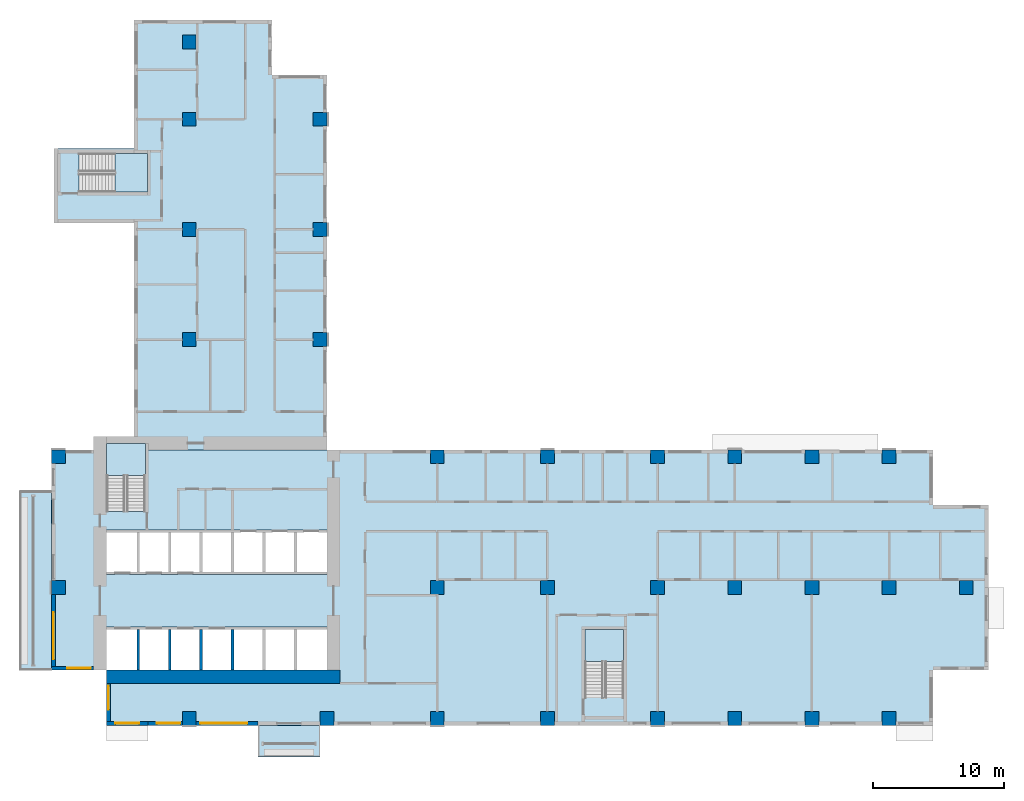
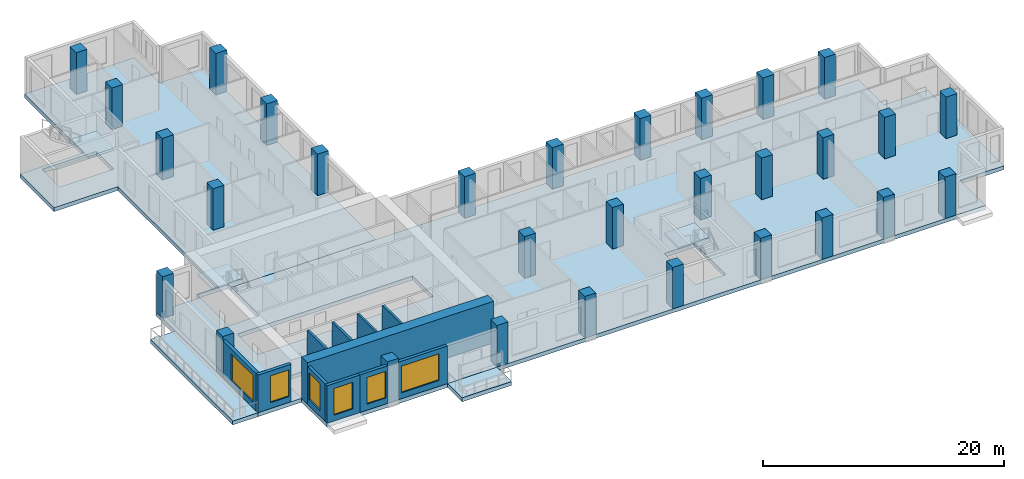
# One storey, part 1 of 13: 30 columns, 11 walls, 7 slabs, 6 windows, 6 openings, 3 elements without a shape of their own.
"""IFC4 building model written with IfcOpenShell, lengths in metres."""

from ifc_helpers import new_model, si_unit, direction, frame, frame_2d, origin, origin_2d, place, context, subcontext, project, spatial, polyline, rectangle, outline, extrude, source, transform, mapped, material, layer, layer_set, material_profile, profile_set, type_object, element, fill, aggregate, save


model = new_model("IFC4")

# Units and contexts
model_context = context("Model", 3, precision=1e-05, world=origin(), true_north=direction((0.0, 1.0)))
body_context = subcontext(model_context, "Body", "Model", "MODEL_VIEW")
ifc_project = project(units=[si_unit("LENGTHUNIT", "METRE"), si_unit("AREAUNIT", "SQUARE_METRE"), si_unit("VOLUMEUNIT", "CUBIC_METRE"), si_unit("PLANEANGLEUNIT", "RADIAN"), si_unit("MASSUNIT", "GRAM", prefix="KILO")], contexts=[model_context])

# Site, building, storey
site_placement = place(None, origin())
site = spatial("IfcSite", under=ifc_project, at=site_placement, CompositionType="ELEMENT")
building_placement = place(site_placement, origin())
building = spatial("IfcBuilding", under=site, at=building_placement, Name="Aurelian Terraces", CompositionType="ELEMENT")
storey_placement = place(building_placement, frame((0.0, 0.0, 158.1)))
storey = spatial("IfcBuildingStorey", under=building, at=storey_placement, Name="L35", CompositionType="ELEMENT", Elevation=158.1)

# Columns
ifc_material_1 = material(Name="Concrete fc' 83 MPa", Category="concrete")
ifc_material_profile = material_profile(ifc_material_1, rectangle(XDim=1.05, YDim=1.05, at=origin_2d()))
ifc_profile_set = profile_set([ifc_material_profile], Name="Concrete fc' 83 MPa")
column_type = type_object("IfcColumnType", Name="RC COLUMN 1050X1050 FC83", PredefinedType="COLUMN", material=ifc_profile_set)
shared_shape_1 = source(origin(), body_context, "Body", "SweptSolid", [
    extrude(rectangle(XDim=1.05, YDim=1.05, at=origin_2d()), origin(), (0.0, 0.0, 1.0), 4.2),
])
for number, where, z_axis, x_axis, name in (
    (1, (10.5, 0.525, 0.0), (0.0, 0.0, 1.0), (1.0, 0.0, 0.0), "Column 2/A L35"),
    (2, (21.0, 0.525, 0.0), (0.0, 0.0, 1.0), (1.0, 0.0, 0.0), "Column 3/A L35"),
    (3, (29.4, 0.525, 0.0), (0.0, 0.0, 1.0), (1.0, 0.0, 0.0), "Column 4/A L35"),
    (4, (37.8, 0.525, 0.0), (0.0, 0.0, 1.0), (1.0, 0.0, 0.0), "Column 5/A L35"),
    (5, (46.2, 0.525, 0.0), (0.0, 0.0, 1.0), (1.0, 0.0, 0.0), "Column 6/A L35"),
    (6, (52.08, 0.525, 0.0), (0.0, 0.0, 1.0), (1.0, 0.0, 0.0), "Column 7/A L35"),
    (7, (57.96, 0.525, 0.0), (0.0, 0.0, 1.0), (1.0, 0.0, 0.0), "Column 8/A L35"),
    (8, (63.84, 0.525, 0.0), (0.0, 0.0, 1.0), (1.0, 0.0, 0.0), "Column 9/A L35"),
    (9, (0.525, 10.5, 0.0), (0.0, 0.0, 1.0), (1.0, 0.0, 0.0), "Column 1/B L35"),
    (10, (29.4, 10.5, 0.0), (0.0, 0.0, 1.0), (1.0, 0.0, 0.0), "Column 4/B L35"),
    (11, (37.8, 10.5, 0.0), (0.0, 0.0, 1.0), (1.0, 0.0, 0.0), "Column 5/B L35"),
    (12, (46.2, 10.5, 0.0), (0.0, 0.0, 1.0), (1.0, 0.0, 0.0), "Column 6/B L35"),
    (13, (52.08, 10.5, 0.0), (0.0, 0.0, 1.0), (1.0, 0.0, 0.0), "Column 7/B L35"),
    (14, (57.96, 10.5, 0.0), (0.0, 0.0, 1.0), (1.0, 0.0, 0.0), "Column 8/B L35"),
    (15, (63.84, 10.5, 0.0), (0.0, 0.0, 1.0), (1.0, 0.0, 0.0), "Column 9/B L35"),
    (16, (69.72, 10.5, 0.0), (0.0, 0.0, 1.0), (1.0, 0.0, 0.0), "Column 10/B L35"),
    (17, (0.525, 20.475, 0.0), (0.0, 0.0, 1.0), (1.0, 0.0, 0.0), "Column 1/C L35"),
    (18, (29.4, 20.475, 0.0), (0.0, 0.0, 1.0), (1.0, 0.0, 0.0), "Column 4/C L35"),
    (19, (37.8, 20.475, 0.0), (0.0, 0.0, 1.0), (1.0, 0.0, 0.0), "Column 5/C L35"),
    (20, (46.2, 20.475, 0.0), (0.0, 0.0, 1.0), (1.0, 0.0, 0.0), "Column 6/C L35"),
    (21, (52.08, 20.475, 0.0), (0.0, 0.0, 1.0), (1.0, 0.0, 0.0), "Column 7/C L35"),
    (22, (57.96, 20.475, 0.0), (0.0, 0.0, 1.0), (1.0, 0.0, 0.0), "Column 8/C L35"),
    (23, (63.84, 20.475, 0.0), (0.0, 0.0, 1.0), (1.0, 0.0, 0.0), "Column 9/C L35"),
    (24, (10.5, 29.4, 0.0), (0.0, 0.0, 1.0), (1.0, 0.0, 0.0), "Column 2/D L35"),
    (25, (20.475, 29.4, 0.0), (0.0, 0.0, 1.0), (1.0, 0.0, 0.0), "Column 3/D L35"),
    (26, (10.5, 37.8, 0.0), (0.0, 0.0, 1.0), (1.0, 0.0, 0.0), "Column 2/E L35"),
    (27, (20.475, 37.8, 0.0), (0.0, 0.0, 1.0), (1.0, 0.0, 0.0), "Column 3/E L35"),
    (28, (10.5, 46.2, 0.0), (0.0, 0.0, 1.0), (1.0, 0.0, 0.0), "Column 2/F L35"),
    (29, (20.475, 46.2, 0.0), (0.0, 0.0, 1.0), (1.0, 0.0, 0.0), "Column 3/F L35"),
    (30, (10.5, 52.08, 0.0), (0.0, 0.0, 1.0), (1.0, 0.0, 0.0), "Column 2/G L35"),
):
    element("IfcColumn", number, at=place(storey_placement, frame(where, z_axis=z_axis, x_axis=x_axis)), inside=storey, type_object=column_type, Name=name, PredefinedType="COLUMN", context=body_context, shape_type="MappedRepresentation", body=[
        mapped(shared_shape_1, transform((0.0, 0.0, 0.0), scale=1.0)),
    ])

# Slabs
ifc_material_2 = material(Name="Concrete fc' 40 MPa", Category="concrete")
ifc_layer_1 = layer(ifc_material_2, 0.4)
ifc_layer_set_1 = layer_set([ifc_layer_1], Name="PT FLAT PLATE 400")
slab_type_1 = type_object("IfcSlabType", Name="PT FLAT PLATE 400", PredefinedType="FLOOR", material=ifc_layer_set_1)
shared_shape_2 = source(origin(), body_context, "Body", "SweptSolid", [
    extrude(outline(polyline([(67.2, 16.8), (71.4, 16.8), (71.4, 4.2), (67.2, 4.2), (67.2, 0.0), (21.0, 0.0), (4.2, 0.0), (4.2, 4.2), (0.0, 4.2), (0.0, 21.0), (4.21, 21.0), (4.21, 16.31), (7.14, 16.31), (7.14, 21.0), (21.0, 21.0), (67.2, 21.0), (67.2, 16.8)]), holes=[polyline([(40.66, 2.11), (43.59, 2.11), (43.59, 7.29), (40.66, 7.29), (40.66, 2.11)]), polyline([(4.21, 7.49), (4.21, 4.21), (20.99, 4.21), (20.99, 7.49), (4.21, 7.49)]), polyline([(4.21, 14.89), (4.21, 11.51), (20.99, 11.51), (20.99, 14.89), (4.21, 14.89)])]), origin(), (0.0, 0.0, 1.0), 0.4),
])
slab_1_placement = place(storey_placement, frame((0.0, 0.0, -0.4)))
element("IfcSlab", 31, at=slab_1_placement, inside=storey, type_object=slab_type_1, Name="Floor slab S L35", PredefinedType="FLOOR", context=body_context, shape_type="MappedRepresentation", body=[
    mapped(shared_shape_2, transform((0.0, 0.0, 0.0), scale=1.0)),
])
shared_shape_3 = source(origin(), body_context, "Body", "SweptSolid", [
    extrude(outline(polyline([(0.2, 43.95), (6.3, 43.95), (6.3, 49.56), (6.3, 53.76), (10.5, 53.76), (16.8, 53.76), (16.8, 49.56), (21.0, 49.56), (21.0, 21.0), (7.14, 21.0), (7.14, 21.49), (4.21, 21.49), (4.21, 21.0), (4.2, 21.0), (4.2, 21.6), (6.3, 21.6), (6.3, 38.3), (0.2, 38.3), (0.2, 43.95)]), holes=[polyline([(7.29, 43.59), (2.11, 43.59), (2.11, 40.66), (7.29, 40.66), (7.29, 43.59)])]), origin(), (0.0, 0.0, 1.0), 0.4),
])
slab_2_placement = place(storey_placement, frame((0.0, 0.0, -0.4)))
element("IfcSlab", 32, at=slab_2_placement, inside=storey, type_object=slab_type_1, Name="Floor slab W L35", PredefinedType="FLOOR", context=body_context, shape_type="MappedRepresentation", body=[
    mapped(shared_shape_3, transform((0.0, 0.0, 0.0), scale=1.0)),
])
ifc_layer_2 = layer(ifc_material_2, 0.4)
ifc_layer_set_2 = layer_set([ifc_layer_2], Name="Balcony slab 400")
slab_type_2 = type_object("IfcSlabType", Name="Balcony slab 400", PredefinedType="NOTDEFINED", material=ifc_layer_set_2)
shared_shape_4 = source(origin(), body_context, "Body", "SweptSolid", [
    extrude(outline(polyline([(0.0, 17.85), (0.0, 4.2), (-2.4, 4.2), (-2.4, 17.85), (0.0, 17.85)])), origin(), (0.0, 0.0, 1.0), 0.4),
])
slab_3_placement = place(storey_placement, frame((0.0, 0.0, -0.4)))
element("IfcSlab", 33, at=slab_3_placement, inside=storey, type_object=slab_type_2, Name="Balcony slab L35 F20.38", PredefinedType="NOTDEFINED", context=body_context, shape_type="MappedRepresentation", body=[
    mapped(shared_shape_4, transform((0.0, 0.0, 0.0), scale=1.0)),
])
shared_shape_5 = source(origin(), body_context, "Body", "SweptSolid", [
    extrude(outline(polyline([(15.75, 0.0), (20.475, 0.0), (20.475, -2.4), (15.75, -2.4), (15.75, 0.0)])), origin(), (0.0, 0.0, 1.0), 0.4),
])
slab_4_placement = place(storey_placement, frame((0.0, 0.0, -0.4)))
element("IfcSlab", 34, at=slab_4_placement, inside=storey, type_object=slab_type_2, Name="Balcony slab L35 F01.4", PredefinedType="NOTDEFINED", context=body_context, shape_type="MappedRepresentation", body=[
    mapped(shared_shape_5, transform((0.0, 0.0, 0.0), scale=1.0)),
])

# Stair, slab
stair_type = type_object("IfcStairType", Name="Stair 1400", PredefinedType="HALF_TURN_STAIR", material=ifc_material_2)
stair_1_placement = place(storey_placement, origin())
stair_1 = element("IfcStair", 35, at=stair_1_placement, inside=storey, type_object=stair_type, Name="L35 S1", PredefinedType="HALF_TURN_STAIR")
ifc_layer_3 = layer(ifc_material_2, 0.2)
ifc_layer_set_3 = layer_set([ifc_layer_3], Name="Stair landing 200")
slab_type_3 = type_object("IfcSlabType", Name="Stair landing 200", PredefinedType="LANDING", material=ifc_layer_set_3)
shared_shape_6 = source(origin(), body_context, "Body", "SweptSolid", [
    extrude(outline(polyline([(7.15, 19.05), (7.15, 21.5), (4.2, 21.5), (4.2, 19.05), (7.15, 19.05)])), origin(), (0.0, 0.0, 1.0), 0.2),
])
slab_5_placement = place(storey_placement, frame((0.0, 0.0, 1.9)))
slab_5 = element("IfcSlab", 36, at=slab_5_placement, type_object=slab_type_3, Name="S1 landing 1", PredefinedType="LANDING", context=body_context, shape_type="MappedRepresentation", body=[
    mapped(shared_shape_6, transform((0.0, 0.0, 0.0), scale=1.0)),
])
aggregate(stair_1, [slab_5])

stair_2_placement = place(storey_placement, origin())
stair_2 = element("IfcStair", 37, at=stair_2_placement, inside=storey, type_object=stair_type, Name="L35 S2", PredefinedType="HALF_TURN_STAIR")
shared_shape_7 = source(origin(), body_context, "Body", "SweptSolid", [
    extrude(outline(polyline([(43.6, 4.85), (43.6, 7.3), (40.65, 7.3), (40.65, 4.85), (43.6, 4.85)])), origin(), (0.0, 0.0, 1.0), 0.2),
])
slab_6_placement = place(storey_placement, frame((0.0, 0.0, 1.9)))
slab_6 = element("IfcSlab", 38, at=slab_6_placement, type_object=slab_type_3, Name="S2 landing 1", PredefinedType="LANDING", context=body_context, shape_type="MappedRepresentation", body=[
    mapped(shared_shape_7, transform((0.0, 0.0, 0.0), scale=1.0)),
])
aggregate(stair_2, [slab_6])

stair_3_placement = place(storey_placement, origin())
stair_3 = element("IfcStair", 39, at=stair_3_placement, inside=storey, type_object=stair_type, Name="L35 S3", PredefinedType="HALF_TURN_STAIR")
shared_shape_8 = source(origin(), body_context, "Body", "SweptSolid", [
    extrude(outline(polyline([(4.85, 40.65), (7.3, 40.65), (7.3, 43.6), (4.85, 43.6), (4.85, 40.65)])), origin(), (0.0, 0.0, 1.0), 0.2),
])
slab_7_placement = place(storey_placement, frame((0.0, 0.0, 1.9)))
slab_7 = element("IfcSlab", 40, at=slab_7_placement, type_object=slab_type_3, Name="S3 landing 1", PredefinedType="LANDING", context=body_context, shape_type="MappedRepresentation", body=[
    mapped(shared_shape_8, transform((0.0, 0.0, 0.0), scale=1.0)),
])
aggregate(stair_3, [slab_7])

# Wall
ifc_layer_4 = layer(ifc_material_1, 1.0)
ifc_layer_set_4 = layer_set([ifc_layer_4], Name="CORE WALL 1000 FC83")
wall_type_1 = type_object("IfcWallType", Name="CORE WALL 1000 FC83", PredefinedType="SHEAR", material=ifc_layer_set_4)
shared_shape_9 = source(origin(), body_context, "Body", "SweptSolid", [
    extrude(rectangle(XDim=17.8, YDim=1.0, at=frame_2d((8.9, 0.0))), origin(), (0.0, 0.0, 1.0), 4.2),
])
wall_1_placement = place(storey_placement, frame((4.2, 3.7, 0.0), z_axis=(0.0, 0.0, 1.0), x_axis=(1.0, 0.0, 0.0)))
element("IfcWall", 41, at=wall_1_placement, inside=storey, type_object=wall_type_1, Name="Core wall S L35", PredefinedType="SHEAR", context=body_context, shape_type="MappedRepresentation", body=[
    mapped(shared_shape_9, transform((0.0, 0.0, 0.0), scale=1.0)),
])

# Wall, opening, window
ifc_material_3 = material(Name="Terracotta rainscreen cladding", Category="masonry")
ifc_layer_5 = layer(ifc_material_3, 0.3)
ifc_layer_set_5 = layer_set([ifc_layer_5], Name="EW-300")
wall_type_2 = type_object("IfcWallType", Name="EW-300", PredefinedType="STANDARD", material=ifc_layer_set_5)
shared_shape_10 = source(origin(), body_context, "Body", "SweptSolid", [
    extrude(rectangle(XDim=3.15, YDim=0.3, at=frame_2d((1.575, 0.0))), origin(), (0.0, 0.0, 1.0), 3.8),
])
wall_2_placement = place(storey_placement, frame((4.2, 0.15, 0.0), z_axis=(0.0, 0.0, 1.0), x_axis=(1.0, 0.0, 0.0)))
wall_2 = element("IfcWall", 42, at=wall_2_placement, inside=storey, type_object=wall_type_2, Name="External wall L35 F01.1", PredefinedType="STANDARD", context=body_context, shape_type="MappedRepresentation", body=[
    mapped(shared_shape_10, transform((0.0, 0.0, 0.0), scale=1.0)),
])
shared_shape_11 = source(origin(), body_context, "Body", "SweptSolid", [
    extrude(rectangle(XDim=1.8, YDim=2.7, at=frame_2d((0.9, 1.35))), frame((0.0, 0.16, 0.0), z_axis=(0.0, -1.0, 0.0), x_axis=(1.0, 0.0, 0.0)), (0.0, 0.0, 1.0), 0.32),
])
opening_1_placement = place(wall_2_placement, frame((0.675, 0.0, 0.6)))
opening_1 = element("IfcOpeningElement", 43, at=opening_1_placement, cuts=wall_2, Name="Opening W1827", PredefinedType="OPENING", context=body_context, shape_type="MappedRepresentation", body=[
    mapped(shared_shape_11, transform((0.0, 0.0, 0.0), scale=1.0)),
])
ifc_material_4 = material(Name="Clear glazing", Category="glass")
window_type_1 = type_object("IfcWindowType", Name="W-1800x2700", PartitioningType="SINGLE_PANEL", PredefinedType="WINDOW", material=ifc_material_4)
shared_shape_12 = source(origin(), body_context, "Body", "SweptSolid", [
    extrude(rectangle(XDim=1.8, YDim=2.7, at=frame_2d((0.9, 1.35))), frame((0.0, 0.03, 0.0), z_axis=(0.0, -1.0, 0.0), x_axis=(1.0, 0.0, 0.0)), (0.0, 0.0, 1.0), 0.06),
])
window_1_placement = place(opening_1_placement, origin())
window_1 = element("IfcWindow", 44, at=window_1_placement, inside=storey, type_object=window_type_1, Name="Window L35 L35-F01-01-0", OverallHeight=2.7, OverallWidth=1.8, PartitioningType="SINGLE_PANEL", PredefinedType="WINDOW", context=body_context, shape_type="MappedRepresentation", body=[
    mapped(shared_shape_12, transform((0.0, 0.0, 0.0), scale=1.0)),
])
fill(opening_1, window_1)

shared_shape_13 = source(origin(), body_context, "Body", "SweptSolid", [
    extrude(rectangle(XDim=3.2, YDim=0.3, at=frame_2d((1.6, 0.0))), origin(), (0.0, 0.0, 1.0), 3.8),
])
wall_3_placement = place(storey_placement, frame((0.0, 4.35, 0.0), z_axis=(0.0, 0.0, 1.0), x_axis=(1.0, 0.0, 0.0)))
wall_3 = element("IfcWall", 45, at=wall_3_placement, inside=storey, type_object=wall_type_2, Name="External wall L35 F21.39", PredefinedType="STANDARD", context=body_context, shape_type="MappedRepresentation", body=[
    mapped(shared_shape_13, transform((0.0, 0.0, 0.0), scale=1.0)),
])
opening_2_placement = place(wall_3_placement, frame((1.2, 0.0, 0.6)))
opening_2 = element("IfcOpeningElement", 46, at=opening_2_placement, cuts=wall_3, Name="Opening W1827", PredefinedType="OPENING", context=body_context, shape_type="MappedRepresentation", body=[
    mapped(shared_shape_11, transform((0.0, 0.0, 0.0), scale=1.0)),
])
window_2_placement = place(opening_2_placement, origin())
window_2 = element("IfcWindow", 47, at=window_2_placement, inside=storey, type_object=window_type_1, Name="Window L35 L35-F21-39-0", OverallHeight=2.7, OverallWidth=1.8, PartitioningType="SINGLE_PANEL", PredefinedType="WINDOW", context=body_context, shape_type="MappedRepresentation", body=[
    mapped(shared_shape_12, transform((0.0, 0.0, 0.0), scale=1.0)),
])
fill(opening_2, window_2)

wall_4_placement = place(storey_placement, frame((4.35, 3.2, 0.0), z_axis=(0.0, 0.0, 1.0), x_axis=(0.0, -1.0, 0.0)))
wall_4 = element("IfcWall", 48, at=wall_4_placement, inside=storey, type_object=wall_type_2, Name="External wall L35 F22.40", PredefinedType="STANDARD", context=body_context, shape_type="MappedRepresentation", body=[
    mapped(shared_shape_13, transform((0.0, 0.0, 0.0), scale=1.0)),
])
opening_3_placement = place(wall_4_placement, frame((0.2, 0.0, 0.6)))
opening_3 = element("IfcOpeningElement", 49, at=opening_3_placement, cuts=wall_4, Name="Opening W1827", PredefinedType="OPENING", context=body_context, shape_type="MappedRepresentation", body=[
    mapped(shared_shape_11, transform((0.0, 0.0, 0.0), scale=1.0)),
])
window_3_placement = place(opening_3_placement, origin())
window_3 = element("IfcWindow", 50, at=window_3_placement, inside=storey, type_object=window_type_1, Name="Window L35 L35-F22-40-0", OverallHeight=2.7, OverallWidth=1.8, PartitioningType="SINGLE_PANEL", PredefinedType="WINDOW", context=body_context, shape_type="MappedRepresentation", body=[
    mapped(shared_shape_12, transform((0.0, 0.0, 0.0), scale=1.0)),
])
fill(opening_3, window_3)

shared_shape_14 = source(origin(), body_context, "Body", "SweptSolid", [
    extrude(rectangle(XDim=2.625, YDim=0.3, at=frame_2d((1.3125, 0.0))), origin(), (0.0, 0.0, 1.0), 3.8),
])
wall_5_placement = place(storey_placement, frame((7.35, 0.15, 0.0), z_axis=(0.0, 0.0, 1.0), x_axis=(1.0, 0.0, 0.0)))
wall_5 = element("IfcWall", 51, at=wall_5_placement, inside=storey, type_object=wall_type_2, Name="External wall L35 F01.2", PredefinedType="STANDARD", context=body_context, shape_type="MappedRepresentation", body=[
    mapped(shared_shape_14, transform((0.0, 0.0, 0.0), scale=1.0)),
])
opening_4_placement = place(wall_5_placement, frame((0.675, 0.0, 0.6)))
opening_4 = element("IfcOpeningElement", 52, at=opening_4_placement, cuts=wall_5, Name="Opening W1827", PredefinedType="OPENING", context=body_context, shape_type="MappedRepresentation", body=[
    mapped(shared_shape_11, transform((0.0, 0.0, 0.0), scale=1.0)),
])
window_4_placement = place(opening_4_placement, origin())
window_4 = element("IfcWindow", 53, at=window_4_placement, inside=storey, type_object=window_type_1, Name="Window L35 L35-F01-02-0", OverallHeight=2.7, OverallWidth=1.8, PartitioningType="SINGLE_PANEL", PredefinedType="WINDOW", context=body_context, shape_type="MappedRepresentation", body=[
    mapped(shared_shape_12, transform((0.0, 0.0, 0.0), scale=1.0)),
])
fill(opening_4, window_4)

shared_shape_15 = source(origin(), body_context, "Body", "SweptSolid", [
    extrude(rectangle(XDim=5.775, YDim=0.3, at=frame_2d((2.8875, 0.0))), origin(), (0.0, 0.0, 1.0), 3.8),
])
wall_6_placement = place(storey_placement, frame((0.15, 9.975, 0.0), z_axis=(0.0, 0.0, 1.0), x_axis=(0.0, -1.0, 0.0)))
wall_6 = element("IfcWall", 54, at=wall_6_placement, inside=storey, type_object=wall_type_2, Name="External wall L35 F20.38", PredefinedType="STANDARD", context=body_context, shape_type="MappedRepresentation", body=[
    mapped(shared_shape_15, transform((0.0, 0.0, 0.0), scale=1.0)),
])
shared_shape_16 = source(origin(), body_context, "Body", "SweptSolid", [
    extrude(rectangle(XDim=3.6, YDim=2.7, at=frame_2d((1.8, 1.35))), frame((0.0, 0.16, 0.0), z_axis=(0.0, -1.0, 0.0), x_axis=(1.0, 0.0, 0.0)), (0.0, 0.0, 1.0), 0.32),
])
opening_5_placement = place(wall_6_placement, frame((1.35, 0.0, 0.6)))
opening_5 = element("IfcOpeningElement", 55, at=opening_5_placement, cuts=wall_6, Name="Opening W3627", PredefinedType="OPENING", context=body_context, shape_type="MappedRepresentation", body=[
    mapped(shared_shape_16, transform((0.0, 0.0, 0.0), scale=1.0)),
])
window_type_2 = type_object("IfcWindowType", Name="W-3600x2700", PartitioningType="SINGLE_PANEL", PredefinedType="WINDOW", material=ifc_material_4)
shared_shape_17 = source(origin(), body_context, "Body", "SweptSolid", [
    extrude(rectangle(XDim=3.6, YDim=2.7, at=frame_2d((1.8, 1.35))), frame((0.0, 0.03, 0.0), z_axis=(0.0, -1.0, 0.0), x_axis=(1.0, 0.0, 0.0)), (0.0, 0.0, 1.0), 0.06),
])
window_5_placement = place(opening_5_placement, origin())
window_5 = element("IfcWindow", 56, at=window_5_placement, inside=storey, type_object=window_type_2, Name="Window L35 L35-F20-38-2", OverallHeight=2.7, OverallWidth=3.6, PartitioningType="SINGLE_PANEL", PredefinedType="WINDOW", context=body_context, shape_type="MappedRepresentation", body=[
    mapped(shared_shape_17, transform((0.0, 0.0, 0.0), scale=1.0)),
])
fill(opening_5, window_5)

shared_shape_18 = source(origin(), body_context, "Body", "SweptSolid", [
    extrude(rectangle(XDim=4.725, YDim=0.3, at=frame_2d((2.3625, 0.0))), origin(), (0.0, 0.0, 1.0), 3.8),
])
wall_7_placement = place(storey_placement, frame((11.025, 0.15, 0.0), z_axis=(0.0, 0.0, 1.0), x_axis=(1.0, 0.0, 0.0)))
wall_7 = element("IfcWall", 57, at=wall_7_placement, inside=storey, type_object=wall_type_2, Name="External wall L35 F01.3", PredefinedType="STANDARD", context=body_context, shape_type="MappedRepresentation", body=[
    mapped(shared_shape_18, transform((0.0, 0.0, 0.0), scale=1.0)),
])
opening_6_placement = place(wall_7_placement, frame((0.3, 0.0, 0.6)))
opening_6 = element("IfcOpeningElement", 58, at=opening_6_placement, cuts=wall_7, Name="Opening W3627", PredefinedType="OPENING", context=body_context, shape_type="MappedRepresentation", body=[
    mapped(shared_shape_16, transform((0.0, 0.0, 0.0), scale=1.0)),
])
window_6_placement = place(opening_6_placement, origin())
window_6 = element("IfcWindow", 59, at=window_6_placement, inside=storey, type_object=window_type_2, Name="Window L35 L35-F01-03-0", OverallHeight=2.7, OverallWidth=3.6, PartitioningType="SINGLE_PANEL", PredefinedType="WINDOW", context=body_context, shape_type="MappedRepresentation", body=[
    mapped(shared_shape_17, transform((0.0, 0.0, 0.0), scale=1.0)),
])
fill(opening_6, window_6)

# Walls
ifc_layer_6 = layer(ifc_material_2, 0.2)
ifc_layer_set_6 = layer_set([ifc_layer_6], Name="Lift shaft wall 200")
wall_type_3 = type_object("IfcWallType", Name="Lift shaft wall 200", PredefinedType="SOLIDWALL", material=ifc_layer_set_6)
shared_shape_19 = source(origin(), body_context, "Body", "SweptSolid", [
    extrude(rectangle(XDim=3.1, YDim=0.2, at=frame_2d((1.55, 0.0))), origin(), (0.0, 0.0, 1.0), 4.2),
])
for number, where, z_axis, x_axis, name in (
    (60, (6.6, 4.2, 0.0), (0.0, 0.0, 1.0), (0.0, 1.0, 0.0), "L35 core wall CD-A1"),
    (61, (9.0, 4.2, 0.0), (0.0, 0.0, 1.0), (0.0, 1.0, 0.0), "L35 core wall CD-A2"),
    (62, (11.4, 4.2, 0.0), (0.0, 0.0, 1.0), (0.0, 1.0, 0.0), "L35 core wall CD-A3"),
    (63, (13.8, 4.2, 0.0), (0.0, 0.0, 1.0), (0.0, 1.0, 0.0), "L35 core wall CD-A4"),
):
    element("IfcWall", number, at=place(storey_placement, frame(where, z_axis=z_axis, x_axis=x_axis)), inside=storey, type_object=wall_type_3, Name=name, PredefinedType="SOLIDWALL", context=body_context, shape_type="MappedRepresentation", body=[
        mapped(shared_shape_19, transform((0.0, 0.0, 0.0), scale=1.0)),
    ])

save(model, "model.ifc")
